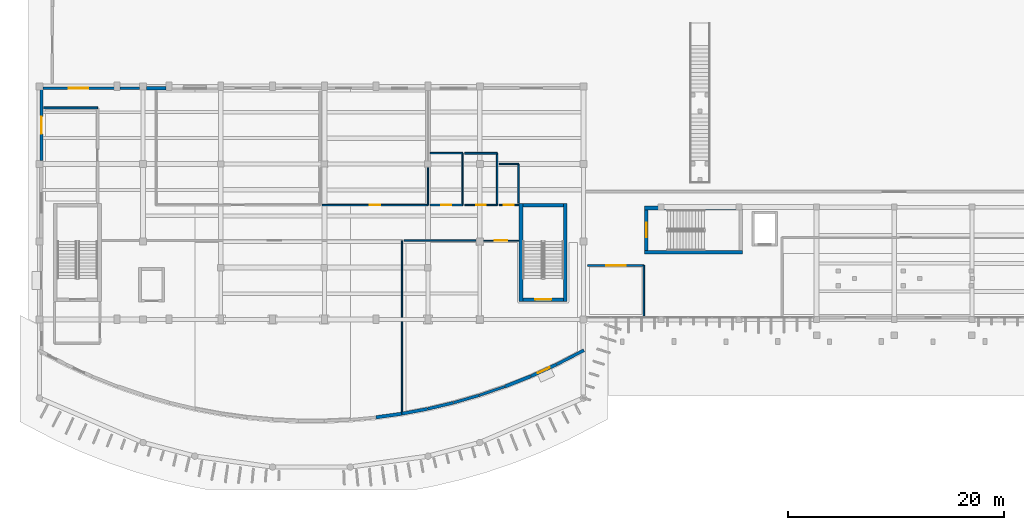
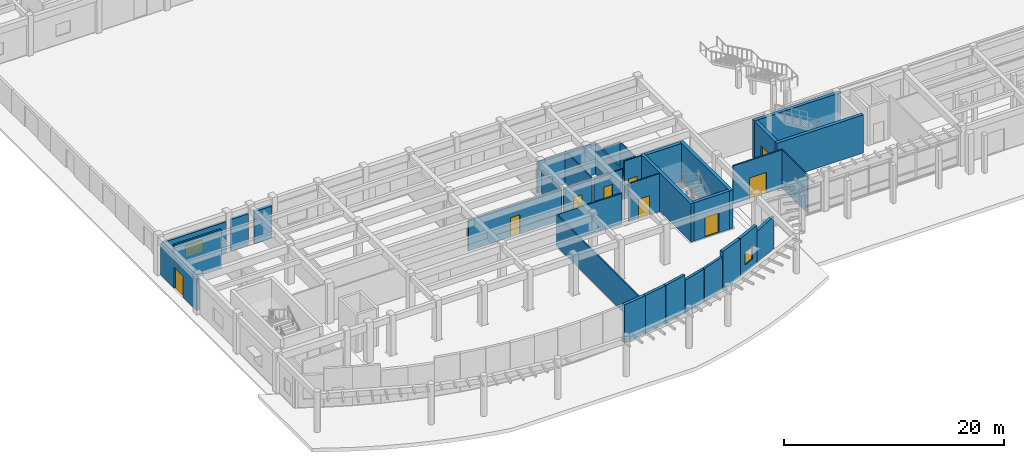
# One storey, part 29 of 58: 36 walls, 9 doors, 2 windows, 11 openings.
"""IFC4 building model written with IfcOpenShell, lengths in metres."""

from ifc_helpers import new_model, si_unit, direction, frame, frame_2d, origin, place, context, subcontext, project, spatial, rectangle, extrude, material, layer, layer_set, type_object, element, fill, save


model = new_model("IFC4")

# Units and contexts
model_context = context("Model", 3, precision=1e-05, world=origin(), true_north=direction((0.0, 1.0)))
body_context = subcontext(model_context, "Body", "Model", "MODEL_VIEW")
ifc_project = project(units=[si_unit("LENGTHUNIT", "METRE"), si_unit("AREAUNIT", "SQUARE_METRE"), si_unit("VOLUMEUNIT", "CUBIC_METRE"), si_unit("PLANEANGLEUNIT", "RADIAN"), si_unit("MASSUNIT", "GRAM", prefix="KILO")], contexts=[model_context])

# Site, building, storey
site_placement = place(None, origin())
site = spatial("IfcSite", under=ifc_project, at=site_placement, CompositionType="ELEMENT")
building_placement = place(site_placement, origin())
building = spatial("IfcBuilding", under=site, at=building_placement, Name="Brisavento Harbour Community Centre", CompositionType="ELEMENT")
storey_placement = place(building_placement, origin())
storey = spatial("IfcBuildingStorey", under=building, at=storey_placement, Name="L00", CompositionType="ELEMENT", Elevation=0.0)

# Walls
ifc_material_1 = material(Name="Concrete C40/50", Category="concrete")
ifc_layer_1 = layer(ifc_material_1, 0.35009765625, Name="Concrete C40/50")
ifc_layer_set_1 = layer_set([ifc_layer_1], Name="Concrete C40/50")
wall_type_1 = type_object("IfcWallType", Name="WL-CORE-350", PredefinedType="SHEAR", material=ifc_layer_set_1)
for number, where, z_axis, x_axis, name in (
    (1, (48.72509765625, 16.050048828125, 0.0), (0.0, 0.0, 1.0), (0.0, 1.0, 0.0), "L00 core C1B shear wall L"),
    (2, (44.625, 25.14990234375, 0.0), (0.0, 0.0, 1.0), (0.0, -1.0, 0.0), "L00 core C1B shear wall R"),
):
    element("IfcWall", number, at=place(storey_placement, frame(where, z_axis=z_axis, x_axis=x_axis)), inside=storey, type_object=wall_type_1, Name=name, PredefinedType="SHEAR", context=body_context, shape_type="SweptSolid", body=[
        extrude(rectangle(XDim=9.099853515625, YDim=0.35009765625, at=frame_2d((4.5498046875, 0.0))), origin(), (0.0, 0.0, 1.0), 4.239990234375),
    ])
wall_1_placement = place(storey_placement, frame((48.550048828125, 24.97509765625, 0.0), z_axis=(0.0, 0.0, 1.0), x_axis=(-1.0, 0.0, 0.0)))
element("IfcWall", 3, at=wall_1_placement, inside=storey, type_object=wall_type_1, Name="L00 core C1B shear wall F", PredefinedType="SHEAR", context=body_context, shape_type="SweptSolid", body=[
    extrude(rectangle(XDim=3.75, YDim=0.35009765625, at=frame_2d((1.875, 0.0))), origin(), (0.0, 0.0, 1.0), 4.239990234375),
])

# Wall, opening, door
wall_2_placement = place(storey_placement, frame((48.550048828125, 16.22509765625, 0.0), z_axis=(0.0, 0.0, 1.0), x_axis=(-1.0, 0.0, 0.0)))
wall_2 = element("IfcWall", 4, at=wall_2_placement, inside=storey, type_object=wall_type_1, Name="L00 core C1B shear wall N", PredefinedType="SHEAR", context=body_context, shape_type="SweptSolid", body=[
    extrude(rectangle(XDim=3.75, YDim=0.35009765625, at=frame_2d((1.875, 0.0))), origin(), (0.0, 0.0, 1.0), 4.239990234375),
])
opening_1_placement = place(wall_2_placement, frame((1.125, 0.0, 0.0)))
opening_1 = element("IfcOpeningElement", 5, at=opening_1_placement, cuts=wall_2, Name="Opening SD-01", PredefinedType="OPENING", context=body_context, shape_type="SweptSolid", body=[
    extrude(rectangle(XDim=1.5, YDim=2.199951171875, at=frame_2d((0.75, 1.10009765625))), frame((0.0, 0.18505859375, 0.0), z_axis=(0.0, -1.0, 0.0), x_axis=(1.0, 0.0, 0.0)), (0.0, 0.0, 1.0), 0.3701171875),
])
ifc_material_2 = material(Name="Fire-rated steel door assembly", Category="steel")
door_type_1 = type_object("IfcDoorType", Name="DR-STAIR-150x220", OperationType="NOTDEFINED", PredefinedType="DOOR", material=ifc_material_2)
door_1_placement = place(opening_1_placement, origin())
door_1 = element("IfcDoor", 6, at=door_1_placement, inside=storey, type_object=door_type_1, Name="L00 exit stair ST-02 fire door", OperationType="SINGLE_SWING_RIGHT", OverallHeight=2.199951171875, OverallWidth=1.5, PredefinedType="DOOR", context=body_context, shape_type="SweptSolid", body=[
    extrude(rectangle(XDim=1.5, YDim=2.199951171875, at=frame_2d((0.75, 1.10009765625))), frame((0.0, 0.02490234375, 0.0), z_axis=(0.0, -1.0, 0.0), x_axis=(1.0, 0.0, 0.0)), (0.0, 0.0, 1.0), 0.050048828125),
])
fill(opening_1, door_1)

# Walls
for number, where, z_axis, x_axis, name in (
    (7, (56.050048828125, 20.625, 0.0), (0.0, 0.0, 1.0), (1.0, 0.0, 0.0), "L00 core C2 shear wall L"),
    (8, (65.14990234375, 24.72509765625, 0.0), (0.0, 0.0, 1.0), (-1.0, 0.0, 0.0), "L00 core C2 shear wall R"),
):
    element("IfcWall", number, at=place(storey_placement, frame(where, z_axis=z_axis, x_axis=x_axis)), inside=storey, type_object=wall_type_1, Name=name, PredefinedType="SHEAR", context=body_context, shape_type="SweptSolid", body=[
        extrude(rectangle(XDim=9.099853515625, YDim=0.35009765625, at=frame_2d((4.5498046875, 0.0))), origin(), (0.0, 0.0, 1.0), 4.239990234375),
    ])

# Wall, opening, door
wall_3_placement = place(storey_placement, frame((56.22509765625, 20.800048828125, 0.0), z_axis=(0.0, 0.0, 1.0), x_axis=(0.0, 1.0, 0.0)))
wall_3 = element("IfcWall", 9, at=wall_3_placement, inside=storey, type_object=wall_type_1, Name="L00 core C2 shear wall N", PredefinedType="SHEAR", context=body_context, shape_type="SweptSolid", body=[
    extrude(rectangle(XDim=3.75, YDim=0.35009765625, at=frame_2d((1.875, 0.0))), origin(), (0.0, 0.0, 1.0), 4.239990234375),
])
opening_2_placement = place(wall_3_placement, frame((1.199951171875, 0.0, 0.0)))
opening_2 = element("IfcOpeningElement", 10, at=opening_2_placement, cuts=wall_3, Name="Opening SD-02", PredefinedType="OPENING", context=body_context, shape_type="SweptSolid", body=[
    extrude(rectangle(XDim=1.35009765625, YDim=2.199951171875, at=frame_2d((0.675048828125, 1.10009765625))), frame((0.0, 0.18505859375, 0.0), z_axis=(0.0, -1.0, 0.0), x_axis=(1.0, 0.0, 0.0)), (0.0, 0.0, 1.0), 0.3701171875),
])
door_type_2 = type_object("IfcDoorType", Name="DR-STAIR-135x220", OperationType="NOTDEFINED", PredefinedType="DOOR", material=ifc_material_2)
door_2_placement = place(opening_2_placement, origin())
door_2 = element("IfcDoor", 11, at=door_2_placement, inside=storey, type_object=door_type_2, Name="L00 exit stair ST-03 fire door", OperationType="SINGLE_SWING_LEFT", OverallHeight=2.199951171875, OverallWidth=1.35009765625, PredefinedType="DOOR", context=body_context, shape_type="SweptSolid", body=[
    extrude(rectangle(XDim=1.35009765625, YDim=2.199951171875, at=frame_2d((0.675048828125, 1.10009765625))), frame((0.0, 0.02490234375, 0.0), z_axis=(0.0, -1.0, 0.0), x_axis=(1.0, 0.0, 0.0)), (0.0, 0.0, 1.0), 0.050048828125),
])
fill(opening_2, door_2)

# Walls
ifc_material_3 = material(Name="Terracotta masonry unit", Category="masonry")
ifc_layer_2 = layer(ifc_material_3, 0.239990234375, Name="Terracotta masonry unit")
ifc_layer_set_2 = layer_set([ifc_layer_2], Name="Terracotta masonry unit")
wall_type_2 = type_object("IfcWallType", Name="WL-EXT-240", PredefinedType="SOLIDWALL", material=ifc_layer_set_2)
wall_4_placement = place(storey_placement, frame((43.124755859375, 8.17919921875, 0.0), z_axis=(0.0, 0.0, 1.0), x_axis=(-0.946353497829, -0.323133187939, 0.0)))
element("IfcWall", 12, at=wall_4_placement, inside=storey, type_object=wall_type_2, Name="L00 V1 exterior wall 0083", PredefinedType="SOLIDWALL", context=body_context, shape_type="SweptSolid", body=[
    extrude(rectangle(XDim=2.5, YDim=0.239990234375, at=frame_2d((1.25, 0.0))), origin(), (0.0, 0.0, 1.0), 3.639892578125),
])
wall_5_placement = place(storey_placement, frame((7.4599609375, 35.820068359375, 0.0), z_axis=(0.0, 0.0, 1.0), x_axis=(1.0, 0.0, 0.0)))
element("IfcWall", 13, at=wall_5_placement, inside=storey, type_object=wall_type_2, Name="L00 V1 exterior wall 0088", PredefinedType="SOLIDWALL", context=body_context, shape_type="SweptSolid", body=[
    extrude(rectangle(XDim=1.830078125, YDim=0.239990234375, at=frame_2d((0.9150390625, 0.0))), origin(), (0.0, 0.0, 1.0), 3.5400390625),
])
ifc_layer_3 = layer(ifc_material_3, 0.260009765625, Name="Terracotta masonry unit")
ifc_layer_set_3 = layer_set([ifc_layer_3], Name="Terracotta masonry unit")
wall_type_3 = type_object("IfcWallType", Name="WL-EXT-260", PredefinedType="SOLIDWALL", material=ifc_layer_set_3)
wall_6_placement = place(storey_placement, frame((40.73291015625, 7.36328125, 0.0), z_axis=(0.0, 0.0, 1.0), x_axis=(-0.960873855282, -0.276986343049, 0.0)))
element("IfcWall", 14, at=wall_6_placement, inside=storey, type_object=wall_type_3, Name="L00 V1 exterior wall 0082", PredefinedType="SOLIDWALL", context=body_context, shape_type="SweptSolid", body=[
    extrude(rectangle(XDim=2.4619140625, YDim=0.260009765625, at=frame_2d((1.23095703125, 0.0))), origin(), (0.0, 0.0, 1.0), 3.639892578125),
])

# Wall, opening, window
wall_7_placement = place(storey_placement, frame((0.31005859375, 35.820068359375, 0.0), z_axis=(0.0, 0.0, 1.0), x_axis=(1.0, 0.0, 0.0)))
wall_7 = element("IfcWall", 15, at=wall_7_placement, inside=storey, type_object=wall_type_3, Name="L00 V1 exterior wall 0087", PredefinedType="SOLIDWALL", context=body_context, shape_type="SweptSolid", body=[
    extrude(rectangle(XDim=6.6298828125, YDim=0.260009765625, at=frame_2d((3.31494140625, 0.0))), origin(), (0.0, 0.0, 1.0), 3.489990234375),
])
opening_3_placement = place(wall_7_placement, frame((2.4150390625, 0.0, 0.89990234375)))
opening_3 = element("IfcOpeningElement", 16, at=opening_3_placement, cuts=wall_7, Name="Opening W-11", PredefinedType="OPENING", context=body_context, shape_type="SweptSolid", body=[
    extrude(rectangle(XDim=1.800048828125, YDim=1.35009765625, at=frame_2d((0.89990234375, 0.675048828125))), frame((0.0, 0.14013671875, 0.0), z_axis=(0.0, -1.0, 0.0), x_axis=(1.0, 0.0, 0.0)), (0.0, 0.0, 1.0), 0.280029296875),
])
ifc_material_4 = material(Name="Solar-control laminated low-E glass", Category="glass")
window_type_1 = type_object("IfcWindowType", Name="WIN-CAS-11", PartitioningType="SINGLE_PANEL", PredefinedType="WINDOW", material=ifc_material_4)
window_1_placement = place(opening_3_placement, origin())
window_1 = element("IfcWindow", 17, at=window_1_placement, inside=storey, type_object=window_type_1, Name="L00 V1 impact casement window 0011", OverallHeight=1.35009765625, OverallWidth=1.800048828125, PartitioningType="SINGLE_PANEL", PredefinedType="WINDOW", context=body_context, shape_type="SweptSolid", body=[
    extrude(rectangle(XDim=1.800048828125, YDim=1.35009765625, at=frame_2d((0.89990234375, 0.675048828125))), frame((0.0, 0.030029296875, 0.0), z_axis=(0.0, -1.0, 0.0), x_axis=(1.0, 0.0, 0.0)), (0.0, 0.0, 1.0), 0.06005859375),
])
fill(opening_3, window_1)

# Walls
ifc_material_5 = material(Name="Precast concrete C40/50", Category="concrete")
ifc_layer_4 = layer(ifc_material_5, 0.280029296875, Name="Precast concrete C40/50")
ifc_layer_set_4 = layer_set([ifc_layer_4], Name="Precast concrete C40/50")
wall_type_4 = type_object("IfcWallType", Name="WL-EXT-280", PredefinedType="SOLIDWALL", material=ifc_layer_set_4)
wall_8_placement = place(storey_placement, frame((38.3408203125, 6.67431640625, 0.0), z_axis=(0.0, 0.0, 1.0), x_axis=(-0.972996641293, -0.230819271363, 0.0)))
element("IfcWall", 18, at=wall_8_placement, inside=storey, type_object=wall_type_4, Name="L00 V1 exterior wall 0081", PredefinedType="SOLIDWALL", context=body_context, shape_type="SweptSolid", body=[
    extrude(rectangle(XDim=2.4306640625, YDim=0.280029296875, at=frame_2d((1.21533203125, 0.0))), origin(), (0.0, 0.0, 1.0), 4.239990234375),
])
wall_9_placement = place(storey_placement, frame((50.449951171875, 11.543212890625, 0.0), z_axis=(0.0, 0.0, 1.0), x_axis=(-0.88701246436, -0.46174547975, 0.0)))
element("IfcWall", 19, at=wall_9_placement, inside=storey, type_object=wall_type_4, Name="L00 V1 exterior wall 0086", PredefinedType="SOLIDWALL", context=body_context, shape_type="SweptSolid", body=[
    extrude(rectangle(XDim=2.837646484375, YDim=0.280029296875, at=frame_2d((1.4189453125, 0.0))), origin(), (0.0, 0.0, 1.0), 3.5400390625),
])
ifc_material_6 = material(Name="Concrete C35/45", Category="concrete")
ifc_layer_5 = layer(ifc_material_6, 0.300048828125, Name="Concrete C35/45")
ifc_layer_set_5 = layer_set([ifc_layer_5], Name="Concrete C35/45")
wall_type_5 = type_object("IfcWallType", Name="WL-EXT-300", PredefinedType="SOLIDWALL", material=ifc_layer_set_5)
wall_10_placement = place(storey_placement, frame((35.94921875, 6.107421875, 0.0), z_axis=(0.0, 0.0, 1.0), x_axis=(-0.982800895809, -0.184668349202, 0.0)))
element("IfcWall", 20, at=wall_10_placement, inside=storey, type_object=wall_type_5, Name="L00 V1 exterior wall 0080", PredefinedType="SOLIDWALL", context=body_context, shape_type="SweptSolid", body=[
    extrude(rectangle(XDim=2.40625, YDim=0.300048828125, at=frame_2d((1.203125, 0.0))), origin(), (0.0, 0.0, 1.0), 4.239990234375),
])

# Wall, opening, window
wall_11_placement = place(storey_placement, frame((47.90869140625, 10.22119140625, 0.0), z_axis=(0.0, 0.0, 1.0), x_axis=(-0.90959706885, -0.415491482873, 0.0)))
wall_11 = element("IfcWall", 21, at=wall_11_placement, inside=storey, type_object=wall_type_5, Name="L00 V1 exterior wall 0085", PredefinedType="SOLIDWALL", context=body_context, shape_type="SweptSolid", body=[
    extrude(rectangle(XDim=2.6025390625, YDim=0.300048828125, at=frame_2d((1.30126953125, 0.0))), origin(), (0.0, 0.0, 1.0), 4.239990234375),
])
opening_4_placement = place(wall_11_placement, frame((0.701416015625, 0.0, 0.89990234375)))
opening_4 = element("IfcOpeningElement", 22, at=opening_4_placement, cuts=wall_11, Name="Opening W-09", PredefinedType="OPENING", context=body_context, shape_type="SweptSolid", body=[
    extrude(rectangle(XDim=1.199951171875, YDim=1.35009765625, at=frame_2d((0.60009765625, 0.675048828125))), frame((0.0, 0.16015625, 0.0), z_axis=(0.0, -1.0, 0.0), x_axis=(1.0, 0.0, 0.0)), (0.0, 0.0, 1.0), 0.320068359375),
])
window_type_2 = type_object("IfcWindowType", Name="WIN-CAS-09", PartitioningType="SINGLE_PANEL", PredefinedType="WINDOW", material=ifc_material_4)
window_2_placement = place(opening_4_placement, origin())
window_2 = element("IfcWindow", 23, at=window_2_placement, inside=storey, type_object=window_type_2, Name="L00 V1 impact casement window 0009", OverallHeight=1.35009765625, OverallWidth=1.199951171875, PartitioningType="SINGLE_PANEL", PredefinedType="WINDOW", context=body_context, shape_type="SweptSolid", body=[
    extrude(rectangle(XDim=1.199951171875, YDim=1.35009765625, at=frame_2d((0.60009765625, 0.675048828125))), frame((0.0, 0.030029296875, 0.0), z_axis=(0.0, -1.0, 0.0), x_axis=(1.0, 0.0, 0.0)), (0.0, 0.0, 1.0), 0.06005859375),
])
fill(opening_4, window_2)

# Wall, opening, door
wall_12_placement = place(storey_placement, frame((0.179931640625, 29.110107421875, 0.0), z_axis=(0.0, 0.0, 1.0), x_axis=(0.0, 1.0, 0.0)))
wall_12 = element("IfcWall", 24, at=wall_12_placement, inside=storey, type_object=wall_type_5, Name="L00 V1 exterior wall 0100", PredefinedType="SOLIDWALL", context=body_context, shape_type="SweptSolid", body=[
    extrude(rectangle(XDim=6.579833984375, YDim=0.300048828125, at=frame_2d((3.2900390625, 0.0))), origin(), (0.0, 0.0, 1.0), 3.489990234375),
])
opening_5_placement = place(wall_12_placement, frame((2.489990234375, 0.0, 0.0)))
opening_5 = element("IfcOpeningElement", 25, at=opening_5_placement, cuts=wall_12, Name="Opening ED-04", PredefinedType="OPENING", context=body_context, shape_type="SweptSolid", body=[
    extrude(rectangle(XDim=1.60009765625, YDim=2.300048828125, at=frame_2d((0.800048828125, 1.14990234375))), frame((0.0, 0.16015625, 0.0), z_axis=(0.0, -1.0, 0.0), x_axis=(1.0, 0.0, 0.0)), (0.0, 0.0, 1.0), 0.320068359375),
])
ifc_material_7 = material(Name="Marine-anodised aluminium AW-6063-T6", Category="aluminium")
door_type_3 = type_object("IfcDoorType", Name="DR-EXT-160x230", OperationType="NOTDEFINED", PredefinedType="DOOR", material=ifc_material_7)
door_3_placement = place(opening_5_placement, origin())
door_3 = element("IfcDoor", 26, at=door_3_placement, inside=storey, type_object=door_type_3, Name="L00 V1 exterior exit door 006", OperationType="SINGLE_SWING_LEFT", OverallHeight=2.300048828125, OverallWidth=1.60009765625, PredefinedType="DOOR", context=body_context, shape_type="SweptSolid", body=[
    extrude(rectangle(XDim=1.60009765625, YDim=2.300048828125, at=frame_2d((0.800048828125, 1.14990234375))), frame((0.0, 0.02490234375, 0.0), z_axis=(0.0, -1.0, 0.0), x_axis=(1.0, 0.0, 0.0)), (0.0, 0.0, 1.0), 0.050048828125),
])
fill(opening_5, door_3)

# Walls
ifc_layer_6 = layer(ifc_material_6, 0.320068359375, Name="Concrete C35/45")
ifc_layer_set_6 = layer_set([ifc_layer_6], Name="Concrete C35/45")
wall_type_6 = type_object("IfcWallType", Name="WL-EXT-320", PredefinedType="SOLIDWALL", material=ifc_layer_set_6)
wall_13_placement = place(storey_placement, frame((33.557373046875, 5.65869140625, 0.0), z_axis=(0.0, 0.0, 1.0), x_axis=(-0.990368406077, -0.138457286714, 0.0)))
element("IfcWall", 27, at=wall_13_placement, inside=storey, type_object=wall_type_6, Name="L00 V1 exterior wall 0079", PredefinedType="SOLIDWALL", context=body_context, shape_type="SweptSolid", body=[
    extrude(rectangle(XDim=2.387451171875, YDim=0.320068359375, at=frame_2d((1.19384765625, 0.0))), origin(), (0.0, 0.0, 1.0), 4.239990234375),
])
wall_14_placement = place(storey_placement, frame((45.516845703125, 9.12939453125, 0.0), z_axis=(0.0, 0.0, 1.0), x_axis=(-0.929287640724, -0.369356847504, 0.0)))
element("IfcWall", 28, at=wall_14_placement, inside=storey, type_object=wall_type_6, Name="L00 V1 exterior wall 0084", PredefinedType="SOLIDWALL", context=body_context, shape_type="SweptSolid", body=[
    extrude(rectangle(XDim=2.546875, YDim=0.320068359375, at=frame_2d((1.2734375, 0.0))), origin(), (0.0, 0.0, 1.0), 4.239990234375),
])
wall_15_placement = place(storey_placement, frame((9.909912109375, 35.820068359375, 0.0), z_axis=(0.0, 0.0, 1.0), x_axis=(1.0, 0.0, 0.0)))
element("IfcWall", 29, at=wall_15_placement, inside=storey, type_object=wall_type_6, Name="L00 V1 exterior wall 0089", PredefinedType="SOLIDWALL", context=body_context, shape_type="SweptSolid", body=[
    extrude(rectangle(XDim=1.830078125, YDim=0.320068359375, at=frame_2d((0.9150390625, 0.0))), origin(), (0.0, 0.0, 1.0), 3.590087890625),
])

# Wall, opening, door
ifc_material_8 = material(Name="Lightweight stud partition", Category="other")
ifc_layer_7 = layer(ifc_material_8, 0.10009765625, Name="Lightweight stud partition")
ifc_layer_set_7 = layer_set([ifc_layer_7], Name="Lightweight stud partition")
wall_type_7 = type_object("IfcWallType", Name="WL-PRT-100", PredefinedType="PARTITIONING", material=ifc_layer_set_7)
wall_16_placement = place(storey_placement, frame((44.389892578125, 21.699951171875, 0.0), z_axis=(0.0, 0.0, 1.0), x_axis=(-1.0, 0.0, 0.0)))
wall_16 = element("IfcWall", 30, at=wall_16_placement, inside=storey, type_object=wall_type_7, Name="L00 Community Heritage Gallery partition 0047", PredefinedType="PARTITIONING", context=body_context, shape_type="SweptSolid", body=[
    extrude(rectangle(XDim=3.224853515625, YDim=0.10009765625, at=frame_2d((1.6123046875, 0.0))), origin(), (0.0, 0.0, 1.0), 4.239990234375),
])
opening_6_placement = place(wall_16_placement, frame((1.03759765625, 0.0, 0.0)))
opening_6 = element("IfcOpeningElement", 31, at=opening_6_placement, cuts=wall_16, Name="Opening ID-07", PredefinedType="OPENING", context=body_context, shape_type="SweptSolid", body=[
    extrude(rectangle(XDim=1.14990234375, YDim=2.14990234375, at=frame_2d((0.574951171875, 1.074951171875))), frame((0.0, 0.06005859375, 0.0), z_axis=(0.0, -1.0, 0.0), x_axis=(1.0, 0.0, 0.0)), (0.0, 0.0, 1.0), 0.1201171875),
])
ifc_material_9 = material(Name="Solid-core tropical timber door", Category="wood")
door_type_4 = type_object("IfcDoorType", Name="DR-INT-115x215", OperationType="NOTDEFINED", PredefinedType="DOOR", material=ifc_material_9)
door_4_placement = place(opening_6_placement, origin())
door_4 = element("IfcDoor", 32, at=door_4_placement, inside=storey, type_object=door_type_4, Name="L00 Community Heritage Gallery door 0018", OperationType="SINGLE_SWING_LEFT", OverallHeight=2.14990234375, OverallWidth=1.14990234375, PredefinedType="DOOR", context=body_context, shape_type="SweptSolid", body=[
    extrude(rectangle(XDim=1.14990234375, YDim=2.14990234375, at=frame_2d((0.574951171875, 1.074951171875))), frame((0.0, 0.02490234375, 0.0), z_axis=(0.0, -1.0, 0.0), x_axis=(1.0, 0.0, 0.0)), (0.0, 0.0, 1.0), 0.050048828125),
])
fill(opening_6, door_4)

wall_17_placement = place(storey_placement, frame((39.39990234375, 25.0, 0.0), z_axis=(0.0, 0.0, 1.0), x_axis=(1.0, 0.0, 0.0)))
wall_17 = element("IfcWall", 33, at=wall_17_placement, inside=storey, type_object=wall_type_7, Name="L00 Female WC L00 partition 0115", PredefinedType="PARTITIONING", context=body_context, shape_type="SweptSolid", body=[
    extrude(rectangle(XDim=3.0, YDim=0.10009765625, at=frame_2d((1.5, 0.0))), origin(), (0.0, 0.0, 1.0), 3.43994140625),
])
opening_7_placement = place(wall_17_placement, frame((1.06005859375, 0.0, 0.0)))
opening_7 = element("IfcOpeningElement", 34, at=opening_7_placement, cuts=wall_17, Name="Opening WD-02", PredefinedType="OPENING", context=body_context, shape_type="SweptSolid", body=[
    extrude(rectangle(XDim=0.8798828125, YDim=2.10009765625, at=frame_2d((0.43994140625, 1.050048828125))), frame((0.0, 0.06005859375, 0.0), z_axis=(0.0, -1.0, 0.0), x_axis=(1.0, 0.0, 0.0)), (0.0, 0.0, 1.0), 0.1201171875),
])
ifc_material_10 = material(Name="Moisture-resistant laminate door", Category="other")
door_type_5 = type_object("IfcDoorType", Name="DR-WC-088x210", OperationType="NOTDEFINED", PredefinedType="DOOR", material=ifc_material_10)
door_5_placement = place(opening_7_placement, origin())
door_5 = element("IfcDoor", 35, at=door_5_placement, inside=storey, type_object=door_type_5, Name="L00 Female WC L00 door 0040", OperationType="SINGLE_SWING_LEFT", OverallHeight=2.10009765625, OverallWidth=0.8798828125, PredefinedType="DOOR", context=body_context, shape_type="SweptSolid", body=[
    extrude(rectangle(XDim=0.8798828125, YDim=2.10009765625, at=frame_2d((0.43994140625, 1.050048828125))), frame((0.0, 0.02490234375, 0.0), z_axis=(0.0, -1.0, 0.0), x_axis=(1.0, 0.0, 0.0)), (0.0, 0.0, 1.0), 0.050048828125),
])
fill(opening_7, door_5)

# Walls
wall_18_placement = place(storey_placement, frame((44.39990234375, 28.800048828125, 0.0), z_axis=(0.0, 0.0, 1.0), x_axis=(-1.0, 0.0, 0.0)))
element("IfcWall", 36, at=wall_18_placement, inside=storey, type_object=wall_type_7, Name="L00 Accessible WC L00 partition 0119", PredefinedType="PARTITIONING", context=body_context, shape_type="SweptSolid", body=[
    extrude(rectangle(XDim=1.7998046875, YDim=0.10009765625, at=frame_2d((0.89990234375, 0.0))), origin(), (0.0, 0.0, 1.0), 3.43994140625),
])
ifc_material_11 = material(Name="Gypsum metal-stud partition", Category="other")
ifc_layer_8 = layer(ifc_material_11, 0.1201171875, Name="Gypsum metal-stud partition")
ifc_layer_set_8 = layer_set([ifc_layer_8], Name="Gypsum metal-stud partition")
wall_type_8 = type_object("IfcWallType", Name="WL-PRT-120", PredefinedType="PARTITIONING", material=ifc_layer_set_8)
wall_19_placement = place(storey_placement, frame((33.60009765625, 5.62548828125, 0.0), z_axis=(0.0, 0.0, 1.0), x_axis=(0.0, 1.0, 0.0)))
element("IfcWall", 37, at=wall_19_placement, inside=storey, type_object=wall_type_8, Name="L00 Harbour Exhibition Foyer partition 0046", PredefinedType="PARTITIONING", context=body_context, shape_type="SweptSolid", body=[
    extrude(rectangle(XDim=16.074462890625, YDim=0.1201171875, at=frame_2d((8.037109375, 0.0))), origin(), (0.0, 0.0, 1.0), 3.489990234375),
])
wall_20_placement = place(storey_placement, frame((36.0, 25.0, 0.0), z_axis=(0.0, 0.0, 1.0), x_axis=(0.0, 1.0, 0.0)))
element("IfcWall", 38, at=wall_20_placement, inside=storey, type_object=wall_type_8, Name="L00 Neighbourhood Welcome Desk partition 0054", PredefinedType="PARTITIONING", context=body_context, shape_type="SweptSolid", body=[
    extrude(rectangle(XDim=3.4599609375, YDim=0.1201171875, at=frame_2d((1.72998046875, 0.0))), origin(), (0.0, 0.0, 1.0), 3.43994140625),
])
wall_21_placement = place(storey_placement, frame((39.199951171875, 25.0, 0.0), z_axis=(0.0, 0.0, 1.0), x_axis=(0.0, 1.0, 0.0)))
element("IfcWall", 39, at=wall_21_placement, inside=storey, type_object=wall_type_8, Name="L00 Male WC L00 partition 0114", PredefinedType="PARTITIONING", context=body_context, shape_type="SweptSolid", body=[
    extrude(rectangle(XDim=4.800048828125, YDim=0.1201171875, at=frame_2d((2.39990234375, 0.0))), origin(), (0.0, 0.0, 1.0), 3.6201171875),
])

# Wall, opening, door
wall_22_placement = place(storey_placement, frame((42.60009765625, 25.0, 0.0), z_axis=(0.0, 0.0, 1.0), x_axis=(1.0, 0.0, 0.0)))
wall_22 = element("IfcWall", 40, at=wall_22_placement, inside=storey, type_object=wall_type_8, Name="L00 Accessible WC L00 partition 0118", PredefinedType="PARTITIONING", context=body_context, shape_type="SweptSolid", body=[
    extrude(rectangle(XDim=1.789794921875, YDim=0.1201171875, at=frame_2d((0.89501953125, 0.0))), origin(), (0.0, 0.0, 1.0), 4.239990234375),
])
opening_8_placement = place(wall_22_placement, frame((0.43505859375, 0.0, 0.0)))
opening_8 = element("IfcOpeningElement", 41, at=opening_8_placement, cuts=wall_22, Name="Opening WD-01", PredefinedType="OPENING", context=body_context, shape_type="SweptSolid", body=[
    extrude(rectangle(XDim=0.919921875, YDim=2.10009765625, at=frame_2d((0.4599609375, 1.050048828125))), frame((0.0, 0.070068359375, 0.0), z_axis=(0.0, -1.0, 0.0), x_axis=(1.0, 0.0, 0.0)), (0.0, 0.0, 1.0), 0.14013671875),
])
door_type_6 = type_object("IfcDoorType", Name="DR-WC-092x210", OperationType="NOTDEFINED", PredefinedType="DOOR", material=ifc_material_10)
door_6_placement = place(opening_8_placement, origin())
door_6 = element("IfcDoor", 42, at=door_6_placement, inside=storey, type_object=door_type_6, Name="L00 Accessible WC L00 door 0041", OperationType="SINGLE_SWING_RIGHT", OverallHeight=2.10009765625, OverallWidth=0.919921875, PredefinedType="DOOR", context=body_context, shape_type="SweptSolid", body=[
    extrude(rectangle(XDim=0.919921875, YDim=2.10009765625, at=frame_2d((0.4599609375, 1.050048828125))), frame((0.0, 0.02490234375, 0.0), z_axis=(0.0, -1.0, 0.0), x_axis=(1.0, 0.0, 0.0)), (0.0, 0.0, 1.0), 0.050048828125),
])
fill(opening_8, door_6)

ifc_layer_9 = layer(ifc_material_11, 0.139892578125, Name="Gypsum metal-stud partition")
ifc_layer_set_9 = layer_set([ifc_layer_9], Name="Gypsum metal-stud partition")
wall_type_9 = type_object("IfcWallType", Name="WL-PRT-140", PredefinedType="PARTITIONING", material=ifc_layer_set_9)
wall_23_placement = place(storey_placement, frame((26.199951171875, 25.0, 0.0), z_axis=(0.0, 0.0, 1.0), x_axis=(1.0, 0.0, 0.0)))
wall_23 = element("IfcWall", 43, at=wall_23_placement, inside=storey, type_object=wall_type_9, Name="L00 Neighbourhood Welcome Desk partition 0053", PredefinedType="PARTITIONING", context=body_context, shape_type="SweptSolid", body=[
    extrude(rectangle(XDim=9.800048828125, YDim=0.139892578125, at=frame_2d((4.89990234375, 0.0))), origin(), (0.0, 0.0, 1.0), 3.43994140625),
])
opening_9_placement = place(wall_23_placement, frame((4.39990234375, 0.0, 0.0)))
opening_9 = element("IfcOpeningElement", 44, at=opening_9_placement, cuts=wall_23, Name="Opening ID-09", PredefinedType="OPENING", context=body_context, shape_type="SweptSolid", body=[
    extrude(rectangle(XDim=1.0, YDim=2.14990234375, at=frame_2d((0.5, 1.074951171875))), frame((0.0, 0.080078125, 0.0), z_axis=(0.0, -1.0, 0.0), x_axis=(1.0, 0.0, 0.0)), (0.0, 0.0, 1.0), 0.159912109375),
])
door_type_7 = type_object("IfcDoorType", Name="DR-INT-100x215", OperationType="NOTDEFINED", PredefinedType="DOOR", material=ifc_material_9)
door_7_placement = place(opening_9_placement, origin())
door_7 = element("IfcDoor", 45, at=door_7_placement, inside=storey, type_object=door_type_7, Name="L00 Neighbourhood Welcome Desk door 0020", OperationType="SINGLE_SWING_LEFT", OverallHeight=2.14990234375, OverallWidth=1.0, PredefinedType="DOOR", context=body_context, shape_type="SweptSolid", body=[
    extrude(rectangle(XDim=1.0, YDim=2.14990234375, at=frame_2d((0.5, 1.074951171875))), frame((0.0, 0.02490234375, 0.0), z_axis=(0.0, -1.0, 0.0), x_axis=(1.0, 0.0, 0.0)), (0.0, 0.0, 1.0), 0.050048828125),
])
fill(opening_9, door_7)

# Walls
wall_24_placement = place(storey_placement, frame((56.0, 14.699951171875, 0.0), z_axis=(0.0, 0.0, 1.0), x_axis=(0.0, 1.0, 0.0)))
element("IfcWall", 46, at=wall_24_placement, inside=storey, type_object=wall_type_9, Name="L00 Community Box Office and Cloakroom partition 0061", PredefinedType="PARTITIONING", context=body_context, shape_type="SweptSolid", body=[
    extrude(rectangle(XDim=4.699951171875, YDim=0.139892578125, at=frame_2d((2.35009765625, 0.0))), origin(), (0.0, 0.0, 1.0), 4.239990234375),
])
wall_25_placement = place(storey_placement, frame((39.199951171875, 29.800048828125, 0.0), z_axis=(0.0, 0.0, 1.0), x_axis=(-1.0, 0.0, 0.0)))
element("IfcWall", 47, at=wall_25_placement, inside=storey, type_object=wall_type_9, Name="L00 Male WC L00 partition 0113", PredefinedType="PARTITIONING", context=body_context, shape_type="SweptSolid", body=[
    extrude(rectangle(XDim=3.0, YDim=0.139892578125, at=frame_2d((1.5, 0.0))), origin(), (0.0, 0.0, 1.0), 3.489990234375),
])
wall_26_placement = place(storey_placement, frame((42.39990234375, 25.0, 0.0), z_axis=(0.0, 0.0, 1.0), x_axis=(0.0, 1.0, 0.0)))
element("IfcWall", 48, at=wall_26_placement, inside=storey, type_object=wall_type_9, Name="L00 Female WC L00 partition 0117", PredefinedType="PARTITIONING", context=body_context, shape_type="SweptSolid", body=[
    extrude(rectangle(XDim=4.800048828125, YDim=0.139892578125, at=frame_2d((2.39990234375, 0.0))), origin(), (0.0, 0.0, 1.0), 3.43994140625),
])
ifc_material_12 = material(Name="Moisture-resistant stud partition", Category="other")
ifc_layer_10 = layer(ifc_material_12, 0.14990234375, Name="Moisture-resistant stud partition")
ifc_layer_set_10 = layer_set([ifc_layer_10], Name="Moisture-resistant stud partition")
wall_type_10 = type_object("IfcWallType", Name="WL-PRT-150", PredefinedType="PARTITIONING", material=ifc_layer_set_10)
wall_27_placement = place(storey_placement, frame((40.43505859375, 21.699951171875, 0.0), z_axis=(0.0, 0.0, 1.0), x_axis=(-1.0, 0.0, 0.0)))
element("IfcWall", 49, at=wall_27_placement, inside=storey, type_object=wall_type_10, Name="L00 Community Heritage Gallery partition 0048", PredefinedType="PARTITIONING", context=body_context, shape_type="SweptSolid", body=[
    extrude(rectangle(XDim=6.635009765625, YDim=0.14990234375, at=frame_2d((3.3173828125, 0.0))), origin(), (0.0, 0.0, 1.0), 3.43994140625),
])

# Wall, opening, door
wall_28_placement = place(storey_placement, frame((56.0, 19.39990234375, 0.0), z_axis=(0.0, 0.0, 1.0), x_axis=(-1.0, 0.0, 0.0)))
wall_28 = element("IfcWall", 50, at=wall_28_placement, inside=storey, type_object=wall_type_10, Name="L00 Community Box Office and Cloakroom partition 0060", PredefinedType="PARTITIONING", context=body_context, shape_type="SweptSolid", body=[
    extrude(rectangle(XDim=5.199951171875, YDim=0.14990234375, at=frame_2d((2.60009765625, 0.0))), origin(), (0.0, 0.0, 1.0), 4.239990234375),
])
opening_10_placement = place(wall_28_placement, frame((1.699951171875, 0.0, 0.0)))
opening_10 = element("IfcOpeningElement", 51, at=opening_10_placement, cuts=wall_28, Name="Opening ID-01", PredefinedType="OPENING", context=body_context, shape_type="SweptSolid", body=[
    extrude(rectangle(XDim=1.800048828125, YDim=2.300048828125, at=frame_2d((0.89990234375, 1.14990234375))), frame((0.0, 0.0849609375, 0.0), z_axis=(0.0, -1.0, 0.0), x_axis=(1.0, 0.0, 0.0)), (0.0, 0.0, 1.0), 0.169921875),
])
door_type_8 = type_object("IfcDoorType", Name="DR-INT-180x230", OperationType="NOTDEFINED", PredefinedType="DOOR", material=ifc_material_9)
door_8_placement = place(opening_10_placement, origin())
door_8 = element("IfcDoor", 52, at=door_8_placement, inside=storey, type_object=door_type_8, Name="L00 Community Box Office and Cloakroom door 0023", OperationType="SINGLE_SWING_RIGHT", OverallHeight=2.300048828125, OverallWidth=1.800048828125, PredefinedType="DOOR", context=body_context, shape_type="SweptSolid", body=[
    extrude(rectangle(XDim=1.800048828125, YDim=2.300048828125, at=frame_2d((0.89990234375, 1.14990234375))), frame((0.0, 0.02490234375, 0.0), z_axis=(0.0, -1.0, 0.0), x_axis=(1.0, 0.0, 0.0)), (0.0, 0.0, 1.0), 0.050048828125),
])
fill(opening_10, door_8)

wall_29_placement = place(storey_placement, frame((36.199951171875, 25.0, 0.0), z_axis=(0.0, 0.0, 1.0), x_axis=(1.0, 0.0, 0.0)))
wall_29 = element("IfcWall", 53, at=wall_29_placement, inside=storey, type_object=wall_type_10, Name="L00 Male WC L00 partition 0112", PredefinedType="PARTITIONING", context=body_context, shape_type="SweptSolid", body=[
    extrude(rectangle(XDim=3.0, YDim=0.14990234375, at=frame_2d((1.5, 0.0))), origin(), (0.0, 0.0, 1.0), 3.43994140625),
])
opening_11_placement = place(wall_29_placement, frame((1.0400390625, 0.0, 0.0)))
opening_11 = element("IfcOpeningElement", 54, at=opening_11_placement, cuts=wall_29, Name="Opening WD-01", PredefinedType="OPENING", context=body_context, shape_type="SweptSolid", body=[
    extrude(rectangle(XDim=0.919921875, YDim=2.10009765625, at=frame_2d((0.4599609375, 1.050048828125))), frame((0.0, 0.0849609375, 0.0), z_axis=(0.0, -1.0, 0.0), x_axis=(1.0, 0.0, 0.0)), (0.0, 0.0, 1.0), 0.169921875),
])
door_9_placement = place(opening_11_placement, origin())
door_9 = element("IfcDoor", 55, at=door_9_placement, inside=storey, type_object=door_type_6, Name="L00 Male WC L00 door 0039", OperationType="SINGLE_SWING_RIGHT", OverallHeight=2.10009765625, OverallWidth=0.919921875, PredefinedType="DOOR", context=body_context, shape_type="SweptSolid", body=[
    extrude(rectangle(XDim=0.919921875, YDim=2.10009765625, at=frame_2d((0.4599609375, 1.050048828125))), frame((0.0, 0.02490234375, 0.0), z_axis=(0.0, -1.0, 0.0), x_axis=(1.0, 0.0, 0.0)), (0.0, 0.0, 1.0), 0.050048828125),
])
fill(opening_11, door_9)

# Walls
wall_30_placement = place(storey_placement, frame((42.39990234375, 29.800048828125, 0.0), z_axis=(0.0, 0.0, 1.0), x_axis=(-1.0, 0.0, 0.0)))
element("IfcWall", 56, at=wall_30_placement, inside=storey, type_object=wall_type_10, Name="L00 Female WC L00 partition 0116", PredefinedType="PARTITIONING", context=body_context, shape_type="SweptSolid", body=[
    extrude(rectangle(XDim=3.0, YDim=0.14990234375, at=frame_2d((1.5, 0.0))), origin(), (0.0, 0.0, 1.0), 3.489990234375),
])
wall_31_placement = place(storey_placement, frame((44.39990234375, 25.18310546875, 0.0), z_axis=(0.0, 0.0, 1.0), x_axis=(0.0, 1.0, 0.0)))
element("IfcWall", 57, at=wall_31_placement, inside=storey, type_object=wall_type_10, Name="L00 Accessible WC L00 partition 0120", PredefinedType="PARTITIONING", context=body_context, shape_type="SweptSolid", body=[
    extrude(rectangle(XDim=3.616943359375, YDim=0.14990234375, at=frame_2d((1.80859375, 0.0))), origin(), (0.0, 0.0, 1.0), 3.43994140625),
])
ifc_material_13 = material(Name="Acoustic gypsum stud partition", Category="other")
ifc_layer_11 = layer(ifc_material_13, 0.179931640625, Name="Acoustic gypsum stud partition")
ifc_layer_set_11 = layer_set([ifc_layer_11], Name="Acoustic gypsum stud partition")
wall_type_11 = type_object("IfcWallType", Name="WL-PRT-180", PredefinedType="PARTITIONING", material=ifc_layer_set_11)
wall_32_placement = place(storey_placement, frame((5.39990234375, 34.0, 0.0), z_axis=(0.0, 0.0, 1.0), x_axis=(-1.0, 0.0, 0.0)))
element("IfcWall", 58, at=wall_32_placement, inside=storey, type_object=wall_type_11, Name="L00 Fire Command Room partition 0043", PredefinedType="PARTITIONING", context=body_context, shape_type="SweptSolid", body=[
    extrude(rectangle(XDim=5.0, YDim=0.179931640625, at=frame_2d((2.5, 0.0))), origin(), (0.0, 0.0, 1.0), 4.239990234375),
])

save(model, "model.ifc")
